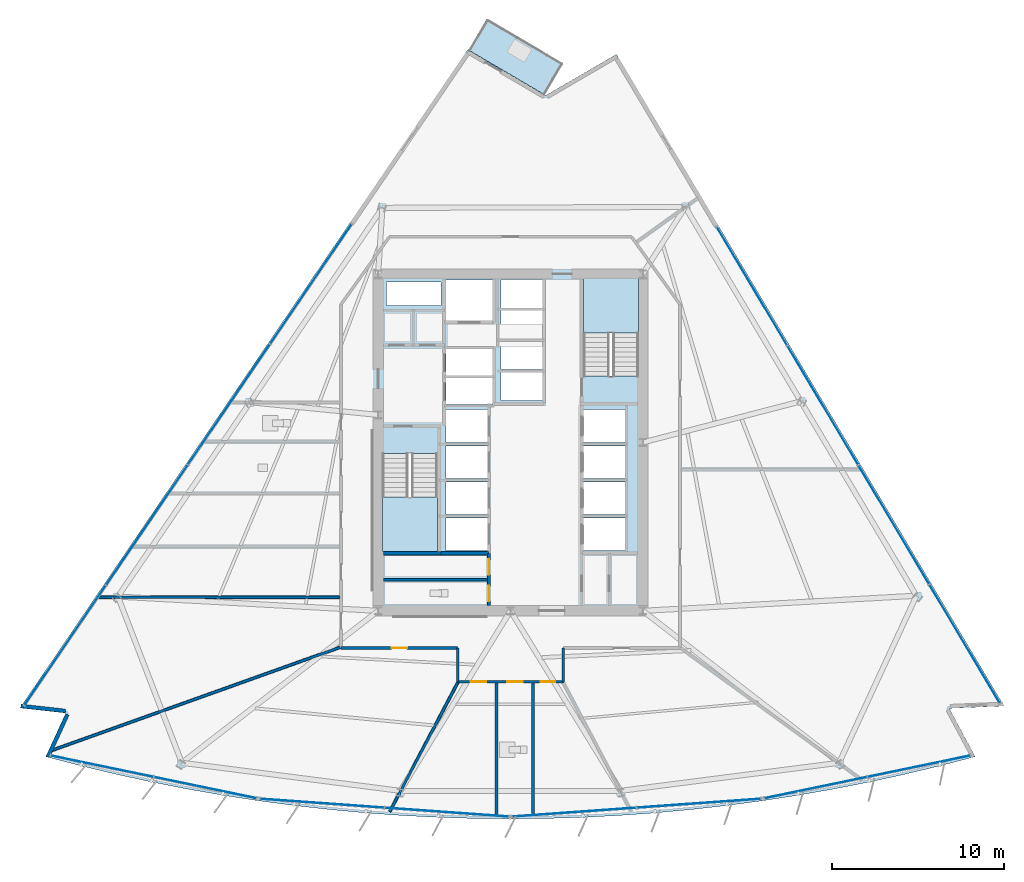
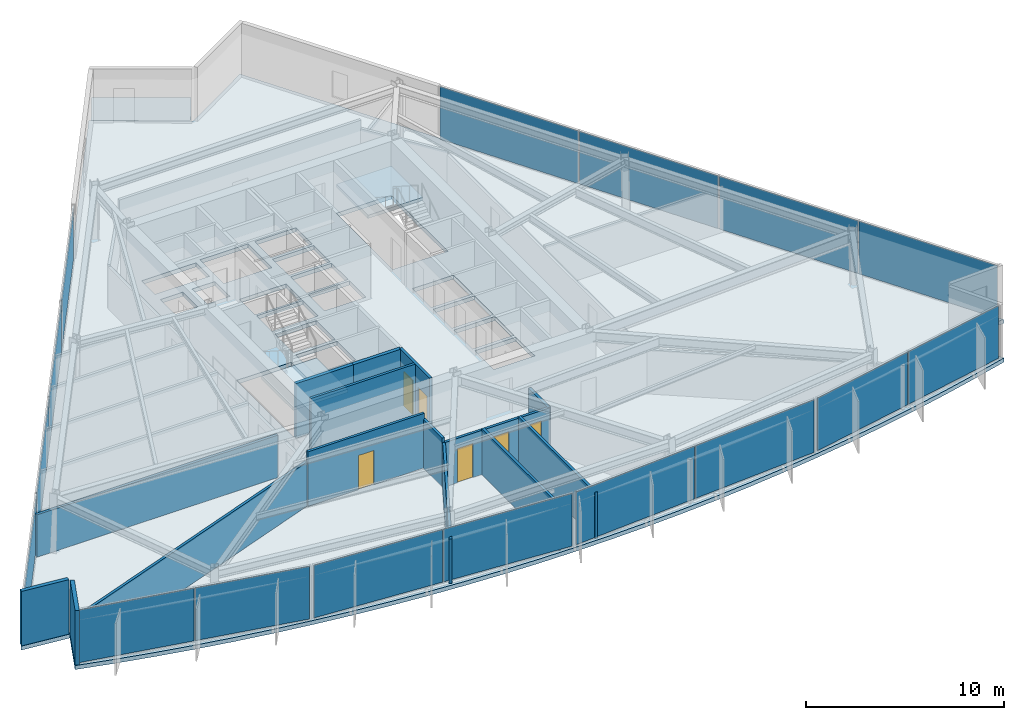
# One storey, part 7 of 15: 16 plates, 15 walls, 6 doors, 4 slabs, 6 openings, 8 elements without a shape of their own.
"""IFC4 building model written with IfcOpenShell, lengths in metres."""

import ifcopenshell
import ifcopenshell.guid

model = None  # the IFC model being written
_history = None  # IfcOwnerHistory: only IFC2X3 demands one
_inside = {}  # id of a spatial element -> (the spatial element, [elements in it])
_under = {}  # id of a project, library or spatial element -> (it, [spatial elements below it])
_declared = {}  # id of a project -> (the project, [libraries it declares])
_typed = {}  # id of a type object -> (the type object, [elements of that type])
_made_of = {}  # id of a material, layer set ... -> (it, [elements and type objects made of it])


def new_model(schema):
    """Start an empty IFC model of exactly this schema.

    Asked for "IFC4X3", IfcOpenShell would pick the latest addendum, in which some entities
    have other attributes; the version numbers below select the first issue.
    IFC2X3 requires an IfcOwnerHistory on every rooted entity: one is made here for all.
    """
    global model, _history
    if schema == "IFC4X3":
        model = ifcopenshell.file(schema_version=(4, 3, 0, 0))
    else:
        model = ifcopenshell.file(schema=schema)
    _inside.clear()
    _under.clear()
    _declared.clear()
    _typed.clear()
    _made_of.clear()
    _history = None
    if model.schema == "IFC2X3":
        org = make("IfcOrganization", Name="unknown")
        user = make(
            "IfcPersonAndOrganization",
            ThePerson=make("IfcPerson", FamilyName="unknown"),
            TheOrganization=org,
        )
        app = make(
            "IfcApplication",
            ApplicationDeveloper=org,
            Version="unknown",
            ApplicationFullName="unknown",
            ApplicationIdentifier="unknown",
        )
        _history = make(
            "IfcOwnerHistory",
            OwningUser=user,
            OwningApplication=app,
            ChangeAction="ADDED",
            CreationDate=0,
        )
    return model


def make(cls, **values):
    """One entity of the class cls with the attributes given. An attribute that is None is left unset."""
    return model.create_entity(
        cls, **{name: value for name, value in values.items() if value is not None}
    )


def rooted(cls, **values):
    """An entity with a GlobalId (a new one), such as an element, a storey or a relation."""
    return make(cls, GlobalId=ifcopenshell.guid.new(), OwnerHistory=_history, **values)


def si_unit(unit_type, name, prefix=None):
    """IfcSIUnit, for example si_unit("LENGTHUNIT", "METRE", prefix="MILLI")."""
    return make("IfcSIUnit", UnitType=unit_type, Prefix=prefix, Name=name)


def assignment(units):
    """IfcUnitAssignment: the units of a project."""
    return None if units is None else make("IfcUnitAssignment", Units=units)


def point(xyz):
    """IfcCartesianPoint."""
    return None if xyz is None else make("IfcCartesianPoint", Coordinates=xyz)


def direction(xyz):
    """IfcDirection."""
    return None if xyz is None else make("IfcDirection", DirectionRatios=xyz)


def frame(location, z_axis=None, x_axis=None):
    """IfcAxis2Placement3D, a coordinate frame: its origin and axes. An axis left out is left unset."""
    return make(
        "IfcAxis2Placement3D",
        Location=point(location),
        Axis=direction(z_axis),
        RefDirection=direction(x_axis),
    )


def frame_2d(location, x_axis=None):
    """IfcAxis2Placement2D, a coordinate frame in the plane: its origin and x axis."""
    return make(
        "IfcAxis2Placement2D", Location=point(location), RefDirection=direction(x_axis)
    )


def origin():
    """The frame at (0, 0, 0) with its axes left unset."""
    return frame((0.0, 0.0, 0.0))


def origin_2d():
    """The frame at (0, 0) in the plane with its x axis left unset."""
    return frame_2d((0.0, 0.0))


def place(relative_to, where):
    """IfcLocalPlacement: puts the frame where relative to a parent placement (None: the world)."""
    return make(
        "IfcLocalPlacement", PlacementRelTo=relative_to, RelativePlacement=where
    )


def context(
    kind, dimensions, precision=None, world=None, true_north=None, identifier=None
):
    """IfcGeometricRepresentationContext, for example the 3D "Model" context."""
    return make(
        "IfcGeometricRepresentationContext",
        ContextIdentifier=identifier,
        ContextType=kind,
        CoordinateSpaceDimension=dimensions,
        Precision=precision,
        WorldCoordinateSystem=world,
        TrueNorth=true_north,
    )


def subcontext(parent, identifier, kind, view, scale=None):
    """IfcGeometricRepresentationSubContext, for example "Body" below "Model"."""
    return make(
        "IfcGeometricRepresentationSubContext",
        ContextIdentifier=identifier,
        ContextType=kind,
        ParentContext=parent,
        TargetScale=scale,
        TargetView=view,
    )


def project(units=None, contexts=None):
    """IfcProject with its units and contexts."""
    return rooted(
        "IfcProject",
        Name="project",
        RepresentationContexts=contexts,
        UnitsInContext=assignment(units),
    )


def spatial(cls, under=None, at=None, **own):
    """A site, building, storey or space (cls), placed at a placement, below another one or the project."""
    s = rooted(cls, ObjectPlacement=at, **own)
    if under is not None:
        _under.setdefault(under.id(), (under, []))[1].append(s)
    return s


def polyline(points):
    """IfcPolyline through the points."""
    return make("IfcPolyline", Points=[point(p) for p in points])


def profile(cls, at=None, kind="AREA", **sizes):
    """A parametric profile (cls). Its sizes go by their IFC names, for example OverallWidth=200.0."""
    return make(cls, ProfileType=kind, Position=at, **sizes)


def rectangle(**sizes):
    """IfcRectangleProfileDef."""
    return profile("IfcRectangleProfileDef", **sizes)


def outline(outer, holes=None, kind="AREA"):
    """IfcArbitraryClosedProfileDef: a profile drawn as a closed curve; with holes, ...WithVoids."""
    if holes is None:
        return make("IfcArbitraryClosedProfileDef", ProfileType=kind, OuterCurve=outer)
    return make(
        "IfcArbitraryProfileDefWithVoids",
        ProfileType=kind,
        OuterCurve=outer,
        InnerCurves=holes,
    )


def extrude(swept, where, along, depth):
    """IfcExtrudedAreaSolid: the profile swept, set in the frame where, extruded along a direction by depth."""
    return make(
        "IfcExtrudedAreaSolid",
        SweptArea=swept,
        Position=where,
        ExtrudedDirection=direction(along),
        Depth=depth,
    )


def shape(context_of_items, identifier, shape_type, items):
    """IfcShapeRepresentation: the items that make up one representation, for example the "Body"."""
    return make(
        "IfcShapeRepresentation",
        ContextOfItems=context_of_items,
        RepresentationIdentifier=identifier,
        RepresentationType=shape_type,
        Items=items,
    )


def material(Name=None, Category=None):
    """IfcMaterial."""
    return make("IfcMaterial", Name=Name, Category=Category)


def layer(
    of_material, thickness, ventilated=None, Name=None, Category=None, Priority=None
):
    """IfcMaterialLayer: one layer of a wall or slab, of a material (None: an air gap)."""
    return make(
        "IfcMaterialLayer",
        Material=of_material,
        LayerThickness=thickness,
        IsVentilated=ventilated,
        Name=Name,
        Category=Category,
        Priority=Priority,
    )


def layer_set(layers, Name=None):
    """IfcMaterialLayerSet."""
    return make("IfcMaterialLayerSet", MaterialLayers=layers, LayerSetName=Name)


def made_of(thing, what):
    """Note that an element or type object is made of a material, layer set ...; save() writes the relation."""
    if what is not None:
        _made_of.setdefault(what.id(), (what, []))[1].append(thing)
    return thing


def type_object(cls, material=None, **own):
    """A type object (cls), such as IfcWallType, which elements share."""
    return made_of(rooted(cls, **own), material)


def element(
    cls,
    number,
    at=None,
    inside=None,
    cuts=None,
    type_object=None,
    material=None,
    context=None,
    identifier="Body",
    shape_type=None,
    held_by="IfcProductDefinitionShape",
    body=None,
    shapes=None,
    **own,
):
    """One element of the class cls, such as IfcWall. Its Tag is "e" and its number.

    at: its placement. inside: the storey or other place that contains it. cuts: it is an
    opening in that element (IfcRelVoidsElement). A single representation is given by context,
    identifier, shape_type and body (its items); several are given by shapes. held_by: the class
    of the entity that holds the representations. save() writes the other relations.
    """
    e = rooted(cls, Tag="e%d" % number, ObjectPlacement=at, **own)
    if body is not None:
        shapes = [shape(context, identifier, shape_type, body)]
    if shapes is not None:
        e.Representation = make(held_by, Representations=shapes)
    if inside is not None:
        _inside.setdefault(inside.id(), (inside, []))[1].append(e)
    if cuts is not None:
        rooted(
            "IfcRelVoidsElement", RelatingBuildingElement=cuts, RelatedOpeningElement=e
        )
    if type_object is not None:
        _typed.setdefault(type_object.id(), (type_object, []))[1].append(e)
    return made_of(e, material)


def fill(opening, filler):
    """IfcRelFillsElement: the door or window that sits in an opening."""
    return rooted(
        "IfcRelFillsElement",
        RelatingOpeningElement=opening,
        RelatedBuildingElement=filler,
    )


def aggregate(whole, parts):
    """IfcRelAggregates: a whole, such as a stair, and the parts it consists of."""
    return rooted("IfcRelAggregates", RelatingObject=whole, RelatedObjects=parts)


def save(model, path):
    """Write the relations noted so far, then the file.

    IfcRelAggregates (storeys below a building ...), IfcRelContainedInSpatialStructure (elements
    in a storey), IfcRelDefinesByType, IfcRelAssociatesMaterial and IfcRelDeclares: one each for
    every whole, place, type object, material and project.
    """
    for whole, parts in _under.values():
        aggregate(whole, parts)
    for where, things in _inside.values():
        rooted(
            "IfcRelContainedInSpatialStructure",
            RelatedElements=things,
            RelatingStructure=where,
        )
    for kind, things in _typed.values():
        rooted("IfcRelDefinesByType", RelatedObjects=things, RelatingType=kind)
    for what, things in _made_of.values():
        rooted("IfcRelAssociatesMaterial", RelatedObjects=things, RelatingMaterial=what)
    for by, libraries in _declared.values():
        rooted("IfcRelDeclares", RelatingContext=by, RelatedDefinitions=libraries)
    model.write(path)


model = new_model("IFC4")

# Units and contexts
model_context = context("Model", 3, precision=1e-05, world=origin(), true_north=direction((0.0, 1.0)))
body_context = subcontext(model_context, "Body", "Model", "MODEL_VIEW")
ifc_project = project(units=[si_unit("LENGTHUNIT", "METRE"), si_unit("AREAUNIT", "SQUARE_METRE"), si_unit("VOLUMEUNIT", "CUBIC_METRE"), si_unit("PLANEANGLEUNIT", "RADIAN"), si_unit("MASSUNIT", "GRAM", prefix="KILO")], contexts=[model_context])

# Site, building, storey
site_placement = place(None, origin())
site = spatial("IfcSite", under=ifc_project, at=site_placement, CompositionType="ELEMENT")
building_placement = place(site_placement, origin())
building = spatial("IfcBuilding", under=site, at=building_placement, Name="Savorim Split Tower", CompositionType="ELEMENT")
storey_placement = place(building_placement, frame((0.0, 0.0, 86.10009765625)))
storey = spatial("IfcBuildingStorey", under=building, at=storey_placement, Name="L22", CompositionType="ELEMENT", Elevation=86.10009765625)

# Curtain wall, plates
ifc_material_1 = material(Name="Dark Ceramic-Fritted Insulated Glass", Category="glass")
curtain_wall_type = type_object("IfcCurtainWallType", Name="CW-TWR-FRIT-A", PredefinedType="NOTDEFINED", material=ifc_material_1)
curtain_wall_1_placement = place(storey_placement, origin())
curtain_wall_1 = element("IfcCurtainWall", 1, at=curtain_wall_1_placement, inside=storey, type_object=curtain_wall_type, Name="L22 Curtain Wall CW-L22-SF1", PredefinedType="NOTDEFINED")
ifc_layer_1 = layer(ifc_material_1, 0.028076171875)
ifc_layer_set_1 = layer_set([ifc_layer_1], Name="CWP-FRITA-28")
plate_type = type_object("IfcPlateType", Name="CWP-FRITA-28", PredefinedType="CURTAIN_PANEL", material=ifc_layer_set_1)
plate_1_placement = place(storey_placement, frame((-23.7607421875, -18.440673828125, 0.0546875), z_axis=(0.0, 0.0, 1.0), x_axis=(0.979135145772, -0.203210153081, 0.0)))
plate_1 = element("IfcPlate", 2, at=plate_1_placement, type_object=plate_type, Name="CW-02 panel 1.1", PredefinedType="CURTAIN_PANEL", context=body_context, shape_type="SweptSolid", body=[
    extrude(rectangle(XDim=6.072021484375, YDim=0.028076171875, at=origin_2d()), origin(), (0.0, 0.0, 1.0), 3.239990234375),
])
plate_2_placement = place(storey_placement, frame((-17.751708984375, -19.687744140625, 0.0546875), z_axis=(0.0, 0.0, 1.0), x_axis=(0.979135145772, -0.203210153081, 0.0)))
plate_2 = element("IfcPlate", 3, at=plate_2_placement, type_object=plate_type, Name="CW-02 panel 2.1", PredefinedType="CURTAIN_PANEL", context=body_context, shape_type="SweptSolid", body=[
    extrude(rectangle(XDim=6.072021484375, YDim=0.028076171875, at=origin_2d()), origin(), (0.0, 0.0, 1.0), 3.239990234375),
])
aggregate(curtain_wall_1, [plate_1, plate_2])

curtain_wall_2_placement = place(storey_placement, origin())
curtain_wall_2 = element("IfcCurtainWall", 4, at=curtain_wall_2_placement, inside=storey, type_object=curtain_wall_type, Name="L22 Curtain Wall CW-L22-SF2", PredefinedType="NOTDEFINED")
plate_3_placement = place(storey_placement, frame((-10.9560546875, -20.594482421875, 0.0546875), z_axis=(0.0, 0.0, 1.0), x_axis=(0.997436258114, -0.071560540796, 0.0)))
plate_3 = element("IfcPlate", 5, at=plate_3_placement, type_object=plate_type, Name="CW-02 panel 1.1", PredefinedType="CURTAIN_PANEL", context=body_context, shape_type="SweptSolid", body=[
    extrude(rectangle(XDim=7.201904296875, YDim=0.028076171875, at=origin_2d()), origin(), (0.0, 0.0, 1.0), 3.239990234375),
])
plate_4_placement = place(storey_placement, frame((-3.707763671875, -21.114501953125, 0.0546875), z_axis=(0.0, 0.0, 1.0), x_axis=(0.997436258114, -0.071560540796, 0.0)))
plate_4 = element("IfcPlate", 6, at=plate_4_placement, type_object=plate_type, Name="CW-02 panel 2.1", PredefinedType="CURTAIN_PANEL", context=body_context, shape_type="SweptSolid", body=[
    extrude(rectangle(XDim=7.201904296875, YDim=0.028076171875, at=origin_2d()), origin(), (0.0, 0.0, 1.0), 3.239990234375),
])
aggregate(curtain_wall_2, [plate_3, plate_4])

curtain_wall_3_placement = place(storey_placement, origin())
curtain_wall_3 = element("IfcCurtainWall", 7, at=curtain_wall_3_placement, inside=storey, type_object=curtain_wall_type, Name="L22 Curtain Wall CW-L22-SF3", PredefinedType="NOTDEFINED")
plate_5_placement = place(storey_placement, frame((3.707763671875, -21.114501953125, 0.0546875), z_axis=(0.0, 0.0, 1.0), x_axis=(0.997436258114, 0.071560540796, 0.0)))
plate_5 = element("IfcPlate", 8, at=plate_5_placement, type_object=plate_type, Name="CW-02 panel 1.1", PredefinedType="CURTAIN_PANEL", context=body_context, shape_type="SweptSolid", body=[
    extrude(rectangle(XDim=7.201904296875, YDim=0.028076171875, at=origin_2d()), origin(), (0.0, 0.0, 1.0), 3.239990234375),
])
plate_6_placement = place(storey_placement, frame((10.9560546875, -20.594482421875, 0.0546875), z_axis=(0.0, 0.0, 1.0), x_axis=(0.997436258114, 0.071560540796, 0.0)))
plate_6 = element("IfcPlate", 9, at=plate_6_placement, type_object=plate_type, Name="CW-02 panel 2.1", PredefinedType="CURTAIN_PANEL", context=body_context, shape_type="SweptSolid", body=[
    extrude(rectangle(XDim=7.201904296875, YDim=0.028076171875, at=origin_2d()), origin(), (0.0, 0.0, 1.0), 3.239990234375),
])
aggregate(curtain_wall_3, [plate_5, plate_6])

curtain_wall_4_placement = place(storey_placement, origin())
curtain_wall_4 = element("IfcCurtainWall", 10, at=curtain_wall_4_placement, inside=storey, type_object=curtain_wall_type, Name="L22 Curtain Wall CW-L22-SF4", PredefinedType="NOTDEFINED")
plate_7_placement = place(storey_placement, frame((17.751708984375, -19.687744140625, 0.0546875), z_axis=(0.0, 0.0, 1.0), x_axis=(0.979135145772, 0.203210153081, 0.0)))
plate_7 = element("IfcPlate", 11, at=plate_7_placement, type_object=plate_type, Name="CW-02 panel 1.1", PredefinedType="CURTAIN_PANEL", context=body_context, shape_type="SweptSolid", body=[
    extrude(rectangle(XDim=6.072021484375, YDim=0.028076171875, at=origin_2d()), origin(), (0.0, 0.0, 1.0), 3.239990234375),
])
plate_8_placement = place(storey_placement, frame((23.7607421875, -18.440673828125, 0.0546875), z_axis=(0.0, 0.0, 1.0), x_axis=(0.979135145772, 0.203210153081, 0.0)))
plate_8 = element("IfcPlate", 12, at=plate_8_placement, type_object=plate_type, Name="CW-02 panel 2.1", PredefinedType="CURTAIN_PANEL", context=body_context, shape_type="SweptSolid", body=[
    extrude(rectangle(XDim=6.072021484375, YDim=0.028076171875, at=origin_2d()), origin(), (0.0, 0.0, 1.0), 3.239990234375),
])
aggregate(curtain_wall_4, [plate_7, plate_8])

curtain_wall_5_placement = place(storey_placement, origin())
curtain_wall_5 = element("IfcCurtainWall", 13, at=curtain_wall_5_placement, inside=storey, type_object=curtain_wall_type, Name="L22 Curtain Wall CW-L22-EAST", PredefinedType="NOTDEFINED")
plate_9_placement = place(storey_placement, frame((26.423583984375, -11.32275390625, 0.0546875), z_axis=(0.0, 0.0, 1.0), x_axis=(-0.511094481315, 0.859524537852, 0.0)))
plate_9 = element("IfcPlate", 14, at=plate_9_placement, type_object=plate_type, Name="CW-02 panel 1.1", PredefinedType="CURTAIN_PANEL", context=body_context, shape_type="SweptSolid", body=[
    extrude(rectangle(XDim=7.983154296875, YDim=0.028076171875, at=origin_2d()), origin(), (0.0, 0.0, 1.0), 3.239990234375),
])
plate_10_placement = place(storey_placement, frame((22.3017578125, -4.39111328125, 0.0546875), z_axis=(0.0, 0.0, 1.0), x_axis=(-0.511094481315, 0.859524537852, 0.0)))
plate_10 = element("IfcPlate", 15, at=plate_10_placement, type_object=plate_type, Name="CW-02 panel 2.1", PredefinedType="CURTAIN_PANEL", context=body_context, shape_type="SweptSolid", body=[
    extrude(rectangle(XDim=8.015625, YDim=0.028076171875, at=origin_2d()), origin(), (0.0, 0.0, 1.0), 3.239990234375),
])
plate_11_placement = place(storey_placement, frame((18.171630859375, 2.554443359375, 0.0546875), z_axis=(0.0, 0.0, 1.0), x_axis=(-0.511094481315, 0.859524537852, 0.0)))
plate_11 = element("IfcPlate", 16, at=plate_11_placement, type_object=plate_type, Name="CW-02 panel 3.1", PredefinedType="CURTAIN_PANEL", context=body_context, shape_type="SweptSolid", body=[
    extrude(rectangle(XDim=8.015625, YDim=0.028076171875, at=origin_2d()), origin(), (0.0, 0.0, 1.0), 3.239990234375),
])
plate_12_placement = place(storey_placement, frame((14.050048828125, 9.486083984375, 0.0546875), z_axis=(0.0, 0.0, 1.0), x_axis=(-0.511094481315, 0.859524537852, 0.0)))
plate_12 = element("IfcPlate", 17, at=plate_12_placement, type_object=plate_type, Name="CW-02 panel 4.1", PredefinedType="CURTAIN_PANEL", context=body_context, shape_type="SweptSolid", body=[
    extrude(rectangle(XDim=7.983154296875, YDim=0.028076171875, at=origin_2d()), origin(), (0.0, 0.0, 1.0), 3.239990234375),
])
aggregate(curtain_wall_5, [plate_9, plate_10, plate_11, plate_12])

curtain_wall_6_placement = place(storey_placement, origin())
curtain_wall_6 = element("IfcCurtainWall", 18, at=curtain_wall_6_placement, inside=storey, type_object=curtain_wall_type, Name="L22 Curtain Wall CW-L22-WEST", PredefinedType="NOTDEFINED")
plate_13_placement = place(storey_placement, frame((-11.61328125, 9.613525390625, 0.0546875), z_axis=(0.0, 0.0, 1.0), x_axis=(-0.562467515846, -0.826819383915, 0.0)))
plate_13 = element("IfcPlate", 19, at=plate_13_placement, type_object=plate_type, Name="CW-02 panel 1.1", PredefinedType="CURTAIN_PANEL", context=body_context, shape_type="SweptSolid", body=[
    extrude(rectangle(XDim=8.39013671875, YDim=0.028076171875, at=origin_2d()), origin(), (0.0, 0.0, 1.0), 3.239990234375),
])
plate_14_placement = place(storey_placement, frame((-16.378173828125, 2.609375, 0.0546875), z_axis=(0.0, 0.0, 1.0), x_axis=(-0.562467515846, -0.826819383915, 0.0)))
plate_14 = element("IfcPlate", 20, at=plate_14_placement, type_object=plate_type, Name="CW-02 panel 2.1", PredefinedType="CURTAIN_PANEL", context=body_context, shape_type="SweptSolid", body=[
    extrude(rectangle(XDim=8.422607421875, YDim=0.028076171875, at=origin_2d()), origin(), (0.0, 0.0, 1.0), 3.239990234375),
])
plate_15_placement = place(storey_placement, frame((-21.15234375, -4.408447265625, 0.0546875), z_axis=(0.0, 0.0, 1.0), x_axis=(-0.562467515846, -0.826819383915, 0.0)))
plate_15 = element("IfcPlate", 21, at=plate_15_placement, type_object=plate_type, Name="CW-02 panel 3.1", PredefinedType="CURTAIN_PANEL", context=body_context, shape_type="SweptSolid", body=[
    extrude(rectangle(XDim=8.422607421875, YDim=0.028076171875, at=origin_2d()), origin(), (0.0, 0.0, 1.0), 3.239990234375),
])
plate_16_placement = place(storey_placement, frame((-25.917236328125, -11.412841796875, 0.0546875), z_axis=(0.0, 0.0, 1.0), x_axis=(-0.562467515846, -0.826819383915, 0.0)))
plate_16 = element("IfcPlate", 22, at=plate_16_placement, type_object=plate_type, Name="CW-02 panel 4.1", PredefinedType="CURTAIN_PANEL", context=body_context, shape_type="SweptSolid", body=[
    extrude(rectangle(XDim=8.39013671875, YDim=0.028076171875, at=origin_2d()), origin(), (0.0, 0.0, 1.0), 3.239990234375),
])
aggregate(curtain_wall_6, [plate_13, plate_14, plate_15, plate_16])

# Slab
ifc_material_2 = material(Name="Concrete C50/60", Category="concrete")
ifc_layer_2 = layer(ifc_material_2, 0.219970703125)
ifc_layer_set_2 = layer_set([ifc_layer_2], Name="SLB-BAL-220")
slab_type_1 = type_object("IfcSlabType", Name="SLB-BAL-220", PredefinedType="FLOOR", material=ifc_layer_set_2)
slab_1_placement = place(storey_placement, frame((0.0, 0.0, -0.22021484375)))
element("IfcSlab", 23, at=slab_1_placement, inside=storey, type_object=slab_type_1, Name="L22 Notched Corner Planted Tree Balcony Slab", PredefinedType="FLOOR", context=body_context, shape_type="SweptSolid", body=[
    extrude(outline(polyline([(-2.377197265625, 23.191650390625), (1.94580078125, 20.650634765625), (2.98193359375, 22.413818359375), (-1.341064453125, 24.95458984375), (-2.377197265625, 23.191650390625)])), origin(), (0.0, 0.0, 1.0), 0.22021484375),
])

# Stair, slab
stair_type = type_object("IfcStairType", Name="STR-DOG-3600", PredefinedType="HALF_TURN_STAIR", material=ifc_material_2)
stair_1_placement = place(storey_placement, origin())
stair_1 = element("IfcStair", 24, at=stair_1_placement, inside=storey, type_object=stair_type, Name="L22 Core Protected Exit Stair ST-1", PredefinedType="HALF_TURN_STAIR")
ifc_layer_3 = layer(ifc_material_2, 0.199951171875)
ifc_layer_set_3 = layer_set([ifc_layer_3], Name="SLB-LND-200")
slab_type_2 = type_object("IfcSlabType", Name="SLB-LND-200", PredefinedType="LANDING", material=ifc_layer_set_3)
slab_2_placement = place(storey_placement, frame((0.0, 0.0, 1.599853515625)))
slab_2 = element("IfcSlab", 25, at=slab_2_placement, type_object=slab_type_2, Name="ST-1 landing 1", PredefinedType="LANDING", context=body_context, shape_type="SweptSolid", body=[
    extrude(outline(polyline([(-7.449951171875, -2.77001953125), (-7.449951171875, -5.949951171875), (-4.25, -5.949951171875), (-4.25, -2.77001953125), (-7.449951171875, -2.77001953125)])), origin(), (0.0, 0.0, 1.0), 0.199951171875),
])
aggregate(stair_1, [slab_2])

stair_2_placement = place(storey_placement, origin())
stair_2 = element("IfcStair", 26, at=stair_2_placement, inside=storey, type_object=stair_type, Name="L22 Core Protected Exit Stair ST-2", PredefinedType="HALF_TURN_STAIR")
slab_3_placement = place(storey_placement, frame((0.0, 0.0, 1.599853515625)))
slab_3 = element("IfcSlab", 27, at=slab_3_placement, type_object=slab_type_2, Name="ST-2 landing 1", PredefinedType="LANDING", context=body_context, shape_type="SweptSolid", body=[
    extrude(outline(polyline([(7.449951171875, 6.77001953125), (7.449951171875, 9.949951171875), (4.25, 9.949951171875), (4.25, 6.77001953125), (7.449951171875, 6.77001953125)])), origin(), (0.0, 0.0, 1.0), 0.199951171875),
])
aggregate(stair_2, [slab_3])

# Slab
ifc_layer_4 = layer(ifc_material_2, 0.25)
ifc_layer_set_4 = layer_set([ifc_layer_4], Name="SLB-TWR-250")
slab_type_3 = type_object("IfcSlabType", Name="SLB-TWR-250", PredefinedType="FLOOR", material=ifc_layer_set_4)
slab_4_placement = place(storey_placement, frame((0.0, 0.0, -0.25)))
element("IfcSlab", 28, at=slab_4_placement, inside=storey, type_object=slab_type_3, Name="L22 Structural Floor Slab", PredefinedType="FLOOR", context=body_context, shape_type="SweptSolid", body=[
    extrude(outline(polyline([(-27.036865234375, -17.88330078125), (-25.000732421875, -18.415771484375), (-22.954345703125, -18.90625), (-20.898193359375, -19.35498046875), (-18.83349609375, -19.76171875), (-16.7607421875, -20.125732421875), (-14.68115234375, -20.447509765625), (-12.59521484375, -20.7265625), (-10.504150390625, -20.962890625), (-8.40869140625, -21.156494140625), (-6.3095703125, -21.30712890625), (-4.207763671875, -21.414794921875), (-2.104248046875, -21.479248046875), (0.0, -21.500732421875), (2.104248046875, -21.479248046875), (4.207763671875, -21.414794921875), (6.3095703125, -21.30712890625), (8.40869140625, -21.156494140625), (10.504150390625, -20.962890625), (12.59521484375, -20.7265625), (14.68115234375, -20.447509765625), (16.7607421875, -20.125732421875), (18.83349609375, -19.76171875), (20.898193359375, -19.35498046875), (22.954345703125, -18.90625), (25.000732421875, -18.415771484375), (27.036865234375, -17.88330078125), (25.52880859375, -15.072998046875), (28.71240234375, -14.9375), (6.1630859375, 22.984619140625), (2.046875, 20.585693359375), (-2.4833984375, 23.248046875), (-28.536376953125, -15.049560546875), (-25.87158203125, -15.34716796875), (-27.036865234375, -17.88330078125)]), holes=[polyline([(-7.449951171875, -0.25390625), (-7.449951171875, -5.949951171875), (-4.25, -5.949951171875), (-4.25, -0.25390625), (-7.449951171875, -0.25390625)]), polyline([(7.449951171875, 4.25390625), (7.449951171875, 9.949951171875), (4.25, 9.949951171875), (4.25, 4.25390625), (7.449951171875, 4.25390625)]), polyline([(4.25, -5.89990234375), (6.64990234375, -5.89990234375), (6.64990234375, -4.0), (4.25, -4.0), (4.25, -5.89990234375)]), polyline([(4.25, -3.800048828125), (6.64990234375, -3.800048828125), (6.64990234375, -1.89990234375), (4.25, -1.89990234375), (4.25, -3.800048828125)]), polyline([(4.25, -1.699951171875), (6.64990234375, -1.699951171875), (6.64990234375, 0.199951171875), (4.25, 0.199951171875), (4.25, -1.699951171875)]), polyline([(4.25, 0.39990234375), (6.64990234375, 0.39990234375), (6.64990234375, 2.300048828125), (4.25, 2.300048828125), (4.25, 0.39990234375)]), polyline([(-3.75, -5.89990234375), (-1.35009765625, -5.89990234375), (-1.35009765625, -4.0), (-3.75, -4.0), (-3.75, -5.89990234375)]), polyline([(-3.75, -3.800048828125), (-1.35009765625, -3.800048828125), (-1.35009765625, -1.89990234375), (-3.75, -1.89990234375), (-3.75, -3.800048828125)]), polyline([(-3.75, -1.699951171875), (-1.35009765625, -1.699951171875), (-1.35009765625, 0.199951171875), (-3.75, 0.199951171875), (-3.75, -1.699951171875)]), polyline([(-3.75, 0.39990234375), (-1.35009765625, 0.39990234375), (-1.35009765625, 2.300048828125), (-3.75, 2.300048828125), (-3.75, 0.39990234375)]), polyline([(-0.550048828125, 2.830078125), (1.85009765625, 2.830078125), (1.85009765625, 4.469970703125), (-0.550048828125, 4.469970703125), (-0.550048828125, 2.830078125)]), polyline([(-0.550048828125, 4.6298828125), (1.85009765625, 4.6298828125), (1.85009765625, 6.27001953125), (-0.550048828125, 6.27001953125), (-0.550048828125, 4.6298828125)]), polyline([(-0.550048828125, 6.429931640625), (1.85009765625, 6.429931640625), (1.85009765625, 8.070068359375), (-0.550048828125, 8.070068359375), (-0.550048828125, 6.429931640625)]), polyline([(-0.550048828125, 8.22998046875), (1.85009765625, 8.22998046875), (1.85009765625, 9.8701171875), (-0.550048828125, 9.8701171875), (-0.550048828125, 8.22998046875)]), polyline([(-3.75, 2.60009765625), (-1.050048828125, 2.60009765625), (-1.050048828125, 4.159912109375), (-3.75, 4.159912109375), (-3.75, 2.60009765625)]), polyline([(-3.75, 4.280029296875), (-1.050048828125, 4.280029296875), (-1.050048828125, 5.840087890625), (-3.75, 5.840087890625), (-3.75, 4.280029296875)]), polyline([(-3.75, 7.449951171875), (-0.949951171875, 7.449951171875), (-0.949951171875, 9.85009765625), (-3.75, 9.85009765625), (-3.75, 7.449951171875)]), polyline([(-7.219970703125, 6.320068359375), (-5.919921875, 6.320068359375), (-5.919921875, 7.820068359375), (-7.219970703125, 7.820068359375), (-7.219970703125, 6.320068359375)]), polyline([(-5.3798828125, 6.320068359375), (-4.050048828125, 6.320068359375), (-4.050048828125, 7.820068359375), (-5.3798828125, 7.820068359375), (-5.3798828125, 6.320068359375)]), polyline([(-7.219970703125, 8.360107421875), (-4.050048828125, 8.360107421875), (-4.050048828125, 9.719970703125), (-7.219970703125, 9.719970703125), (-7.219970703125, 8.360107421875)])]), origin(), (0.0, 0.0, 1.0), 0.25),
])

# Walls
ifc_material_3 = material(Name="Precast concrete C40/50", Category="concrete")
ifc_layer_5 = layer(ifc_material_3, 0.219970703125)
ifc_layer_set_5 = layer_set([ifc_layer_5], Name="WAL-EXT-CRN220")
wall_type_1 = type_object("IfcWallType", Name="WAL-EXT-CRN220", PredefinedType="SOLIDWALL", material=ifc_layer_set_5)
wall_1_placement = place(storey_placement, frame((-25.89794921875, -15.223388671875, 0.0), z_axis=(0.0, 0.0, 1.0), x_axis=(-0.993827522589, 0.110936267041, 0.0)))
element("IfcWall", 29, at=wall_1_placement, inside=storey, type_object=wall_type_1, Name="L22 Notched Corner Facade Wall SW1", PredefinedType="SOLIDWALL", context=body_context, shape_type="SweptSolid", body=[
    extrude(rectangle(XDim=2.601318359375, YDim=0.219970703125, at=frame_2d((1.30078125, 0.0))), origin(), (0.0, 0.0, 1.0), 3.349853515625),
])
wall_2_placement = place(storey_placement, frame((-26.9111328125, -17.89697265625, 0.0), z_axis=(0.0, 0.0, 1.0), x_axis=(0.417504190978, 0.908674997189, 0.0)))
element("IfcWall", 30, at=wall_2_placement, inside=storey, type_object=wall_type_1, Name="L22 Notched Corner Facade Wall SW", PredefinedType="SOLIDWALL", context=body_context, shape_type="SweptSolid", body=[
    extrude(rectangle(XDim=2.7109375, YDim=0.219970703125, at=frame_2d((1.35546875, 0.0))), origin(), (0.0, 0.0, 1.0), 3.349853515625),
])
ifc_layer_6 = layer(ifc_material_2, 0.199951171875)
ifc_layer_set_6 = layer_set([ifc_layer_6], Name="WAL-INT-RC200")
wall_type_2 = type_object("IfcWallType", Name="WAL-INT-RC200", PredefinedType="SOLIDWALL", material=ifc_layer_set_6)
wall_3_placement = place(storey_placement, frame((-7.39990234375, -6.050048828125, 0.0), z_axis=(0.0, 0.0, 1.0), x_axis=(1.0, 0.0, 0.0)))
element("IfcWall", 31, at=wall_3_placement, inside=storey, type_object=wall_type_2, Name="L22 Structural Shaft Wall W-L22-KSEP-W", PredefinedType="SOLIDWALL", context=body_context, shape_type="SweptSolid", body=[
    extrude(rectangle(XDim=3.349853515625, YDim=0.199951171875, at=frame_2d((1.6748046875, 0.0))), origin(), (0.0, 0.0, 1.0), 3.349853515625),
])
wall_4_placement = place(storey_placement, frame((-4.0400390625, -6.050048828125, 0.0), z_axis=(0.0, 0.0, 1.0), x_axis=(1.0, 0.0, 0.0)))
element("IfcWall", 32, at=wall_4_placement, inside=storey, type_object=wall_type_2, Name="L22 Partition W-L22-KSEP-W2", PredefinedType="SOLIDWALL", context=body_context, shape_type="SweptSolid", body=[
    extrude(rectangle(XDim=2.7900390625, YDim=0.199951171875, at=frame_2d((1.39501953125, 0.0))), origin(), (0.0, 0.0, 1.0), 3.349853515625),
])

# Wall, openings, doors
ifc_material_4 = material(Name="Acoustic Gypsum Partition Board")
ifc_layer_7 = layer(ifc_material_4, 0.14990234375)
ifc_layer_set_7 = layer_set([ifc_layer_7], Name="WAL-PAR-150")
wall_type_3 = type_object("IfcWallType", Name="WAL-PAR-150", PredefinedType="PARTITIONING", material=ifc_layer_set_7)
wall_5_placement = place(storey_placement, frame((-1.25, -9.094970703125, 0.0), z_axis=(0.0, 0.0, 1.0), x_axis=(0.0, 1.0, 0.0)))
wall_5 = element("IfcWall", 33, at=wall_5_placement, inside=storey, type_object=wall_type_3, Name="L22 Partition W-L22-KLOB-W", PredefinedType="PARTITIONING", context=body_context, shape_type="SweptSolid", body=[
    extrude(rectangle(XDim=3.044921875, YDim=0.14990234375, at=frame_2d((1.5224609375, 0.0))), origin(), (0.0, 0.0, 1.0), 3.349853515625),
])
opening_1_placement = place(wall_5_placement, frame((1.794921875, 0.0, 0.0)))
opening_1 = element("IfcOpeningElement", 34, at=opening_1_placement, cuts=wall_5, Name="Opening DI-06", PredefinedType="OPENING", context=body_context, shape_type="SweptSolid", body=[
    extrude(rectangle(XDim=0.89990234375, YDim=2.10009765625, at=frame_2d((0.449951171875, 1.050048828125))), frame((0.0, 0.0849609375, 0.0), z_axis=(0.0, -1.0, 0.0), x_axis=(1.0, 0.0, 0.0)), (0.0, 0.0, 1.0), 0.169921875),
])
opening_2_placement = place(wall_5_placement, frame((0.2451171875, 0.0, 0.0)))
opening_2 = element("IfcOpeningElement", 35, at=opening_2_placement, cuts=wall_5, Name="Opening DI-11", PredefinedType="OPENING", context=body_context, shape_type="SweptSolid", body=[
    extrude(rectangle(XDim=0.89990234375, YDim=2.10009765625, at=frame_2d((0.449951171875, 1.050048828125))), frame((0.0, 0.0849609375, 0.0), z_axis=(0.0, -1.0, 0.0), x_axis=(1.0, 0.0, 0.0)), (0.0, 0.0, 1.0), 0.169921875),
])
ifc_material_5 = material(Name="Timber Fire Door Leaf", Category="wood")
door_type_1 = type_object("IfcDoorType", Name="DOR-FIR-900", OperationType="NOTDEFINED", PredefinedType="DOOR", material=ifc_material_5)
door_1_placement = place(opening_1_placement, origin())
door_1 = element("IfcDoor", 36, at=door_1_placement, inside=storey, type_object=door_type_1, Name="DR-L22-K2CLN - L22 Cleaning Store Door", OperationType="SINGLE_SWING_LEFT", OverallHeight=2.10009765625, OverallWidth=0.89990234375, PredefinedType="DOOR", context=body_context, shape_type="SweptSolid", body=[
    extrude(rectangle(XDim=0.89990234375, YDim=2.10009765625, at=frame_2d((0.449951171875, 1.050048828125))), frame((0.0, 0.02490234375, 0.0), z_axis=(0.0, -1.0, 0.0), x_axis=(1.0, 0.0, 0.0)), (0.0, 0.0, 1.0), 0.050048828125),
])
fill(opening_1, door_1)
ifc_material_6 = material(Name="Oak Veneer Acoustic Door")
door_type_2 = type_object("IfcDoorType", Name="DOR-WC-900", OperationType="NOTDEFINED", PredefinedType="DOOR", material=ifc_material_6)
door_2_placement = place(opening_2_placement, origin())
door_2 = element("IfcDoor", 37, at=door_2_placement, inside=storey, type_object=door_type_2, Name="DR-L22-K2WC - L22 Core WC Door", OperationType="SINGLE_SWING_RIGHT", OverallHeight=2.10009765625, OverallWidth=0.89990234375, PredefinedType="DOOR", context=body_context, shape_type="SweptSolid", body=[
    extrude(rectangle(XDim=0.89990234375, YDim=2.10009765625, at=frame_2d((0.449951171875, 1.050048828125))), frame((0.0, 0.02490234375, 0.0), z_axis=(0.0, -1.0, 0.0), x_axis=(1.0, 0.0, 0.0)), (0.0, 0.0, 1.0), 0.050048828125),
])
fill(opening_2, door_2)

# Walls
wall_6_placement = place(storey_placement, frame((-7.39501953125, -7.580078125, 0.0), z_axis=(0.0, 0.0, 1.0), x_axis=(1.0, 0.0, 0.0)))
element("IfcWall", 38, at=wall_6_placement, inside=storey, type_object=wall_type_3, Name="L22 Partition W-L22-K2H", PredefinedType="PARTITIONING", context=body_context, shape_type="SweptSolid", body=[
    extrude(rectangle(XDim=6.14501953125, YDim=0.14990234375, at=frame_2d((3.072509765625, 0.0))), origin(), (0.0, 0.0, 1.0), 3.349853515625),
])
wall_7_placement = place(storey_placement, frame((3.080078125, -11.56005859375, 0.0), z_axis=(0.0, 0.0, 1.0), x_axis=(0.0, -1.0, 0.0)))
element("IfcWall", 39, at=wall_7_placement, inside=storey, type_object=wall_type_3, Name="L22 Partition W-L22-COR-07", PredefinedType="PARTITIONING", context=body_context, shape_type="SweptSolid", body=[
    extrude(rectangle(XDim=1.969970703125, YDim=0.14990234375, at=frame_2d((0.98486328125, 0.0))), origin(), (0.0, 0.0, 1.0), 2.724853515625),
])

# Wall, openings, doors
wall_8_placement = place(storey_placement, frame((3.080078125, -13.530029296875, 0.0), z_axis=(0.0, 0.0, 1.0), x_axis=(-1.0, 0.0, 0.0)))
wall_8 = element("IfcWall", 40, at=wall_8_placement, inside=storey, type_object=wall_type_3, Name="L22 Partition W-L22-COR-08", PredefinedType="PARTITIONING", context=body_context, shape_type="SweptSolid", body=[
    extrude(rectangle(XDim=6.16015625, YDim=0.14990234375, at=frame_2d((3.080078125, 0.0))), origin(), (0.0, 0.0, 1.0), 2.724853515625),
])
opening_3_placement = place(wall_8_placement, frame((4.487060546875, 0.0, 0.0)))
opening_3 = element("IfcOpeningElement", 41, at=opening_3_placement, cuts=wall_8, Name="Opening DI-06", PredefinedType="OPENING", context=body_context, shape_type="SweptSolid", body=[
    extrude(rectangle(XDim=0.89990234375, YDim=2.10009765625, at=frame_2d((0.449951171875, 1.050048828125))), frame((0.0, 0.0849609375, 0.0), z_axis=(0.0, -1.0, 0.0), x_axis=(1.0, 0.0, 0.0)), (0.0, 0.0, 1.0), 0.169921875),
])
opening_4_placement = place(wall_8_placement, frame((2.38037109375, 0.0, 0.0)))
opening_4 = element("IfcOpeningElement", 42, at=opening_4_placement, cuts=wall_8, Name="Opening DI-11", PredefinedType="OPENING", context=body_context, shape_type="SweptSolid", body=[
    extrude(rectangle(XDim=0.89990234375, YDim=2.10009765625, at=frame_2d((0.449951171875, 1.050048828125))), frame((0.0, 0.0849609375, 0.0), z_axis=(0.0, -1.0, 0.0), x_axis=(1.0, 0.0, 0.0)), (0.0, 0.0, 1.0), 0.169921875),
])
opening_5_placement = place(wall_8_placement, frame((0.4833984375, 0.0, 0.0)))
opening_5 = element("IfcOpeningElement", 43, at=opening_5_placement, cuts=wall_8, Name="Opening DI-13", PredefinedType="OPENING", context=body_context, shape_type="SweptSolid", body=[
    extrude(rectangle(XDim=0.85009765625, YDim=2.10009765625, at=frame_2d((0.425048828125, 1.050048828125))), frame((0.0, 0.0849609375, 0.0), z_axis=(0.0, -1.0, 0.0), x_axis=(1.0, 0.0, 0.0)), (0.0, 0.0, 1.0), 0.169921875),
])
door_type_3 = type_object("IfcDoorType", Name="DOR-FIR-850", OperationType="NOTDEFINED", PredefinedType="DOOR", material=ifc_material_5)
door_3_placement = place(opening_5_placement, origin())
door_3 = element("IfcDoor", 44, at=door_3_placement, inside=storey, type_object=door_type_3, Name="DR-L22-RM08 - L22 Co-Living Bedroom Entry Door", OperationType="SINGLE_SWING_LEFT", OverallHeight=2.10009765625, OverallWidth=0.85009765625, PredefinedType="DOOR", context=body_context, shape_type="SweptSolid", body=[
    extrude(rectangle(XDim=0.85009765625, YDim=2.10009765625, at=frame_2d((0.425048828125, 1.050048828125))), frame((0.0, 0.02490234375, 0.0), z_axis=(0.0, -1.0, 0.0), x_axis=(1.0, 0.0, 0.0)), (0.0, 0.0, 1.0), 0.050048828125),
])
fill(opening_5, door_3)
door_4_placement = place(opening_3_placement, origin())
door_4 = element("IfcDoor", 45, at=door_4_placement, inside=storey, type_object=door_type_1, Name="DR-L22-RM06 - L22 Co-Living Bedroom Entry Door", OperationType="SINGLE_SWING_LEFT", OverallHeight=2.10009765625, OverallWidth=0.89990234375, PredefinedType="DOOR", context=body_context, shape_type="SweptSolid", body=[
    extrude(rectangle(XDim=0.89990234375, YDim=2.10009765625, at=frame_2d((0.449951171875, 1.050048828125))), frame((0.0, 0.02490234375, 0.0), z_axis=(0.0, -1.0, 0.0), x_axis=(1.0, 0.0, 0.0)), (0.0, 0.0, 1.0), 0.050048828125),
])
fill(opening_3, door_4)
door_5_placement = place(opening_4_placement, origin())
door_5 = element("IfcDoor", 46, at=door_5_placement, inside=storey, type_object=door_type_2, Name="DR-L22-RM07 - L22 Shared Bathroom Entry Door", OperationType="SINGLE_SWING_RIGHT", OverallHeight=2.10009765625, OverallWidth=0.89990234375, PredefinedType="DOOR", context=body_context, shape_type="SweptSolid", body=[
    extrude(rectangle(XDim=0.89990234375, YDim=2.10009765625, at=frame_2d((0.449951171875, 1.050048828125))), frame((0.0, 0.02490234375, 0.0), z_axis=(0.0, -1.0, 0.0), x_axis=(1.0, 0.0, 0.0)), (0.0, 0.0, 1.0), 0.050048828125),
])
fill(opening_4, door_5)

# Wall
wall_9_placement = place(storey_placement, frame((-3.080078125, -13.530029296875, 0.0), z_axis=(0.0, 0.0, 1.0), x_axis=(0.0, 1.0, 0.0)))
element("IfcWall", 47, at=wall_9_placement, inside=storey, type_object=wall_type_3, Name="L22 Partition W-L22-COR-09", PredefinedType="PARTITIONING", context=body_context, shape_type="SweptSolid", body=[
    extrude(rectangle(XDim=1.969970703125, YDim=0.14990234375, at=frame_2d((0.98486328125, 0.0))), origin(), (0.0, 0.0, 1.0), 2.994873046875),
])

# Wall, opening, door
wall_10_placement = place(storey_placement, frame((-3.080078125, -11.56005859375, 0.0), z_axis=(0.0, 0.0, 1.0), x_axis=(-1.0, 0.0, 0.0)))
wall_10 = element("IfcWall", 48, at=wall_10_placement, inside=storey, type_object=wall_type_3, Name="L22 Partition W-L22-COR-10", PredefinedType="PARTITIONING", context=body_context, shape_type="SweptSolid", body=[
    extrude(rectangle(XDim=6.780029296875, YDim=0.14990234375, at=frame_2d((3.39013671875, 0.0))), origin(), (0.0, 0.0, 1.0), 3.349853515625),
])
opening_6_placement = place(wall_10_placement, frame((2.93994140625, 0.0, 0.0)))
opening_6 = element("IfcOpeningElement", 49, at=opening_6_placement, cuts=wall_10, Name="Opening DI-06", PredefinedType="OPENING", context=body_context, shape_type="SweptSolid", body=[
    extrude(rectangle(XDim=0.89990234375, YDim=2.10009765625, at=frame_2d((0.449951171875, 1.050048828125))), frame((0.0, 0.0849609375, 0.0), z_axis=(0.0, -1.0, 0.0), x_axis=(1.0, 0.0, 0.0)), (0.0, 0.0, 1.0), 0.169921875),
])
door_6_placement = place(opening_6_placement, origin())
door_6 = element("IfcDoor", 50, at=door_6_placement, inside=storey, type_object=door_type_1, Name="DR-L22-RM05 - L22 Co-Working Commons Entry Door", OperationType="SINGLE_SWING_RIGHT", OverallHeight=2.10009765625, OverallWidth=0.89990234375, PredefinedType="DOOR", context=body_context, shape_type="SweptSolid", body=[
    extrude(rectangle(XDim=0.89990234375, YDim=2.10009765625, at=frame_2d((0.449951171875, 1.050048828125))), frame((0.0, 0.02490234375, 0.0), z_axis=(0.0, -1.0, 0.0), x_axis=(1.0, 0.0, 0.0)), (0.0, 0.0, 1.0), 0.050048828125),
])
fill(opening_6, door_6)

# Walls
wall_11_placement = place(storey_placement, frame((-3.06591796875, -13.573486328125, 0.0), z_axis=(0.0, 0.0, 1.0), x_axis=(-0.4664962743, -0.884523163102, 0.0)))
element("IfcWall", 51, at=wall_11_placement, inside=storey, type_object=wall_type_3, Name="L22 Partition W-L22-PRAD02", PredefinedType="PARTITIONING", context=body_context, shape_type="SweptSolid", body=[
    extrude(rectangle(XDim=8.492431640625, YDim=0.14990234375, at=frame_2d((4.24609375, 0.0))), origin(), (0.0, 0.0, 1.0), 2.724853515625),
])
wall_12_placement = place(storey_placement, frame((-9.919921875, -8.609375, 0.0), z_axis=(0.0, 0.0, 1.0), x_axis=(-1.0, 0.0, 0.0)))
element("IfcWall", 52, at=wall_12_placement, inside=storey, type_object=wall_type_3, Name="L22 Partition W-L22-PRAD10", PredefinedType="PARTITIONING", context=body_context, shape_type="SweptSolid", body=[
    extrude(rectangle(XDim=14.02978515625, YDim=0.14990234375, at=frame_2d((7.014892578125, 0.0))), origin(), (0.0, 0.0, 1.0), 2.60888671875),
])
wall_13_placement = place(storey_placement, frame((-0.8125, -13.590087890625, 0.0), z_axis=(0.0, 0.0, 1.0), x_axis=(0.0, -1.0, 0.0)))
element("IfcWall", 53, at=wall_13_placement, inside=storey, type_object=wall_type_3, Name="L22 Partition W-L22-SUB02", PredefinedType="PARTITIONING", context=body_context, shape_type="SweptSolid", body=[
    extrude(rectangle(XDim=7.732421875, YDim=0.14990234375, at=frame_2d((3.8662109375, 0.0))), origin(), (0.0, 0.0, 1.0), 2.8349609375),
])
wall_14_placement = place(storey_placement, frame((-9.91357421875, -11.5205078125, 0.0), z_axis=(0.0, 0.0, 1.0), x_axis=(-0.941566864111, -0.336826127858, 0.0)))
element("IfcWall", 54, at=wall_14_placement, inside=storey, type_object=wall_type_3, Name="L22 Partition W-L22-SUB05", PredefinedType="PARTITIONING", context=body_context, shape_type="SweptSolid", body=[
    extrude(rectangle(XDim=17.809814453125, YDim=0.14990234375, at=frame_2d((8.90478515625, 0.0))), origin(), (0.0, 0.0, 1.0), 2.724853515625),
])
wall_15_placement = place(storey_placement, frame((1.3115234375, -13.590087890625, 0.0), z_axis=(0.0, 0.0, 1.0), x_axis=(0.0, -1.0, 0.0)))
element("IfcWall", 55, at=wall_15_placement, inside=storey, type_object=wall_type_3, Name="L22 Partition W-L22-SUB06", PredefinedType="PARTITIONING", context=body_context, shape_type="SweptSolid", body=[
    extrude(rectangle(XDim=7.727294921875, YDim=0.14990234375, at=frame_2d((3.86376953125, 0.0))), origin(), (0.0, 0.0, 1.0), 2.8349609375),
])

save(model, "model.ifc")
